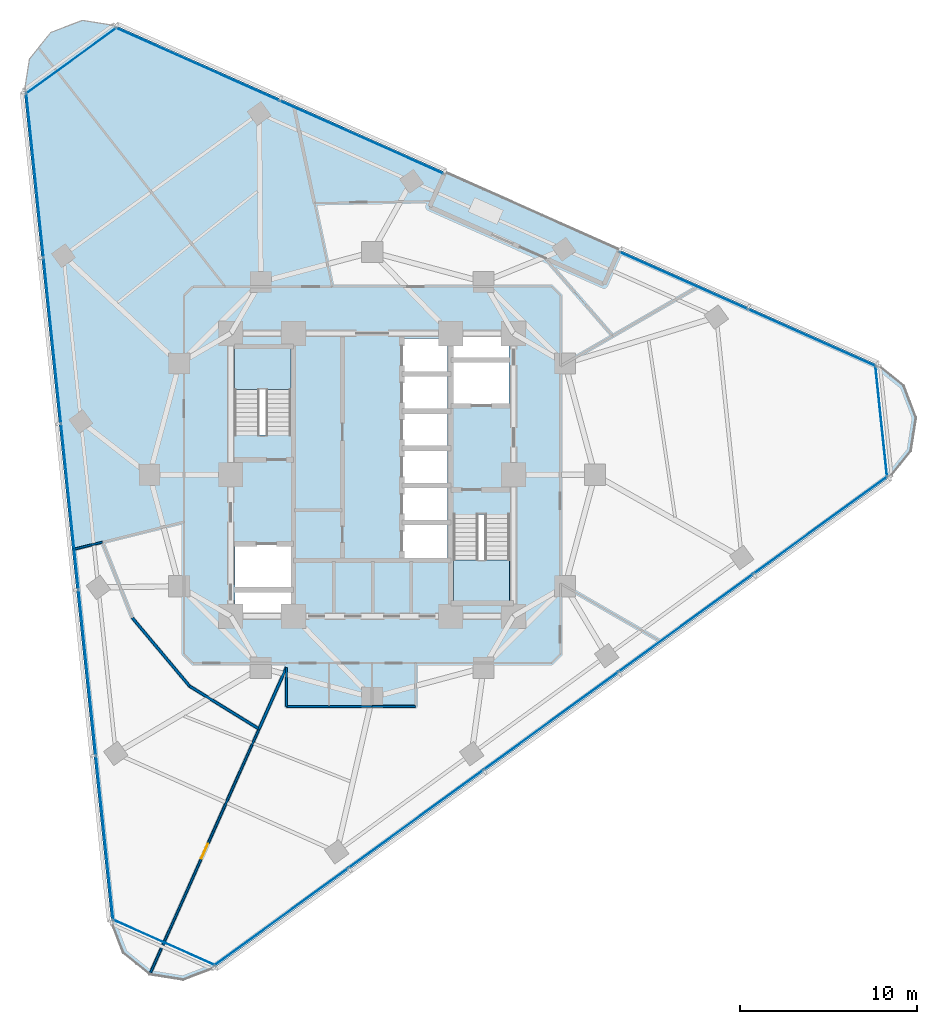
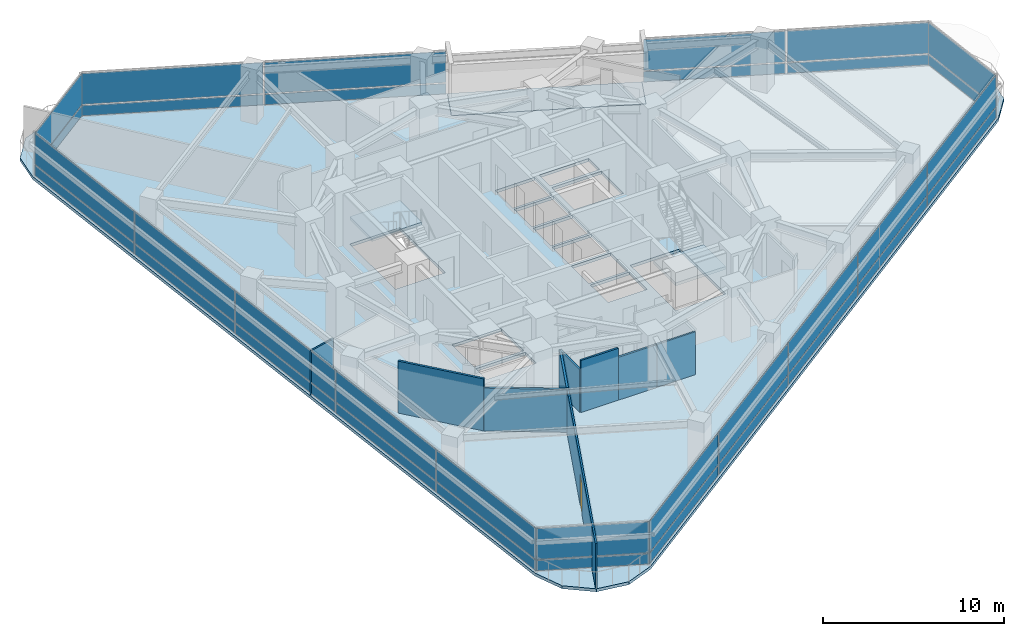
# One storey, part 7 of 14: 34 plates, 9 walls, 4 slabs, 1 door, 1 opening, 9 elements without a shape of their own.
"""IFC4 building model written with IfcOpenShell, lengths in metres."""

import ifcopenshell
import ifcopenshell.guid

model = None  # the IFC model being written
_history = None  # IfcOwnerHistory: only IFC2X3 demands one
_inside = {}  # id of a spatial element -> (the spatial element, [elements in it])
_under = {}  # id of a project, library or spatial element -> (it, [spatial elements below it])
_declared = {}  # id of a project -> (the project, [libraries it declares])
_typed = {}  # id of a type object -> (the type object, [elements of that type])
_made_of = {}  # id of a material, layer set ... -> (it, [elements and type objects made of it])


def new_model(schema):
    """Start an empty IFC model of exactly this schema.

    Asked for "IFC4X3", IfcOpenShell would pick the latest addendum, in which some entities
    have other attributes; the version numbers below select the first issue.
    IFC2X3 requires an IfcOwnerHistory on every rooted entity: one is made here for all.
    """
    global model, _history
    if schema == "IFC4X3":
        model = ifcopenshell.file(schema_version=(4, 3, 0, 0))
    else:
        model = ifcopenshell.file(schema=schema)
    _inside.clear()
    _under.clear()
    _declared.clear()
    _typed.clear()
    _made_of.clear()
    _history = None
    if model.schema == "IFC2X3":
        org = make("IfcOrganization", Name="unknown")
        user = make(
            "IfcPersonAndOrganization",
            ThePerson=make("IfcPerson", FamilyName="unknown"),
            TheOrganization=org,
        )
        app = make(
            "IfcApplication",
            ApplicationDeveloper=org,
            Version="unknown",
            ApplicationFullName="unknown",
            ApplicationIdentifier="unknown",
        )
        _history = make(
            "IfcOwnerHistory",
            OwningUser=user,
            OwningApplication=app,
            ChangeAction="ADDED",
            CreationDate=0,
        )
    return model


def make(cls, **values):
    """One entity of the class cls with the attributes given. An attribute that is None is left unset."""
    return model.create_entity(
        cls, **{name: value for name, value in values.items() if value is not None}
    )


def rooted(cls, **values):
    """An entity with a GlobalId (a new one), such as an element, a storey or a relation."""
    return make(cls, GlobalId=ifcopenshell.guid.new(), OwnerHistory=_history, **values)


def si_unit(unit_type, name, prefix=None):
    """IfcSIUnit, for example si_unit("LENGTHUNIT", "METRE", prefix="MILLI")."""
    return make("IfcSIUnit", UnitType=unit_type, Prefix=prefix, Name=name)


def assignment(units):
    """IfcUnitAssignment: the units of a project."""
    return None if units is None else make("IfcUnitAssignment", Units=units)


def point(xyz):
    """IfcCartesianPoint."""
    return None if xyz is None else make("IfcCartesianPoint", Coordinates=xyz)


def direction(xyz):
    """IfcDirection."""
    return None if xyz is None else make("IfcDirection", DirectionRatios=xyz)


def frame(location, z_axis=None, x_axis=None):
    """IfcAxis2Placement3D, a coordinate frame: its origin and axes. An axis left out is left unset."""
    return make(
        "IfcAxis2Placement3D",
        Location=point(location),
        Axis=direction(z_axis),
        RefDirection=direction(x_axis),
    )


def frame_2d(location, x_axis=None):
    """IfcAxis2Placement2D, a coordinate frame in the plane: its origin and x axis."""
    return make(
        "IfcAxis2Placement2D", Location=point(location), RefDirection=direction(x_axis)
    )


def origin():
    """The frame at (0, 0, 0) with its axes left unset."""
    return frame((0.0, 0.0, 0.0))


def origin_2d():
    """The frame at (0, 0) in the plane with its x axis left unset."""
    return frame_2d((0.0, 0.0))


def place(relative_to, where):
    """IfcLocalPlacement: puts the frame where relative to a parent placement (None: the world)."""
    return make(
        "IfcLocalPlacement", PlacementRelTo=relative_to, RelativePlacement=where
    )


def context(
    kind, dimensions, precision=None, world=None, true_north=None, identifier=None
):
    """IfcGeometricRepresentationContext, for example the 3D "Model" context."""
    return make(
        "IfcGeometricRepresentationContext",
        ContextIdentifier=identifier,
        ContextType=kind,
        CoordinateSpaceDimension=dimensions,
        Precision=precision,
        WorldCoordinateSystem=world,
        TrueNorth=true_north,
    )


def subcontext(parent, identifier, kind, view, scale=None):
    """IfcGeometricRepresentationSubContext, for example "Body" below "Model"."""
    return make(
        "IfcGeometricRepresentationSubContext",
        ContextIdentifier=identifier,
        ContextType=kind,
        ParentContext=parent,
        TargetScale=scale,
        TargetView=view,
    )


def project(units=None, contexts=None):
    """IfcProject with its units and contexts."""
    return rooted(
        "IfcProject",
        Name="project",
        RepresentationContexts=contexts,
        UnitsInContext=assignment(units),
    )


def spatial(cls, under=None, at=None, **own):
    """A site, building, storey or space (cls), placed at a placement, below another one or the project."""
    s = rooted(cls, ObjectPlacement=at, **own)
    if under is not None:
        _under.setdefault(under.id(), (under, []))[1].append(s)
    return s


def polyline(points):
    """IfcPolyline through the points."""
    return make("IfcPolyline", Points=[point(p) for p in points])


def profile(cls, at=None, kind="AREA", **sizes):
    """A parametric profile (cls). Its sizes go by their IFC names, for example OverallWidth=200.0."""
    return make(cls, ProfileType=kind, Position=at, **sizes)


def rectangle(**sizes):
    """IfcRectangleProfileDef."""
    return profile("IfcRectangleProfileDef", **sizes)


def outline(outer, holes=None, kind="AREA"):
    """IfcArbitraryClosedProfileDef: a profile drawn as a closed curve; with holes, ...WithVoids."""
    if holes is None:
        return make("IfcArbitraryClosedProfileDef", ProfileType=kind, OuterCurve=outer)
    return make(
        "IfcArbitraryProfileDefWithVoids",
        ProfileType=kind,
        OuterCurve=outer,
        InnerCurves=holes,
    )


def extrude(swept, where, along, depth):
    """IfcExtrudedAreaSolid: the profile swept, set in the frame where, extruded along a direction by depth."""
    return make(
        "IfcExtrudedAreaSolid",
        SweptArea=swept,
        Position=where,
        ExtrudedDirection=direction(along),
        Depth=depth,
    )


def shape(context_of_items, identifier, shape_type, items):
    """IfcShapeRepresentation: the items that make up one representation, for example the "Body"."""
    return make(
        "IfcShapeRepresentation",
        ContextOfItems=context_of_items,
        RepresentationIdentifier=identifier,
        RepresentationType=shape_type,
        Items=items,
    )


def material(Name=None, Category=None):
    """IfcMaterial."""
    return make("IfcMaterial", Name=Name, Category=Category)


def layer(
    of_material, thickness, ventilated=None, Name=None, Category=None, Priority=None
):
    """IfcMaterialLayer: one layer of a wall or slab, of a material (None: an air gap)."""
    return make(
        "IfcMaterialLayer",
        Material=of_material,
        LayerThickness=thickness,
        IsVentilated=ventilated,
        Name=Name,
        Category=Category,
        Priority=Priority,
    )


def layer_set(layers, Name=None):
    """IfcMaterialLayerSet."""
    return make("IfcMaterialLayerSet", MaterialLayers=layers, LayerSetName=Name)


def made_of(thing, what):
    """Note that an element or type object is made of a material, layer set ...; save() writes the relation."""
    if what is not None:
        _made_of.setdefault(what.id(), (what, []))[1].append(thing)
    return thing


def type_object(cls, material=None, **own):
    """A type object (cls), such as IfcWallType, which elements share."""
    return made_of(rooted(cls, **own), material)


def element(
    cls,
    number,
    at=None,
    inside=None,
    cuts=None,
    type_object=None,
    material=None,
    context=None,
    identifier="Body",
    shape_type=None,
    held_by="IfcProductDefinitionShape",
    body=None,
    shapes=None,
    **own,
):
    """One element of the class cls, such as IfcWall. Its Tag is "e" and its number.

    at: its placement. inside: the storey or other place that contains it. cuts: it is an
    opening in that element (IfcRelVoidsElement). A single representation is given by context,
    identifier, shape_type and body (its items); several are given by shapes. held_by: the class
    of the entity that holds the representations. save() writes the other relations.
    """
    e = rooted(cls, Tag="e%d" % number, ObjectPlacement=at, **own)
    if body is not None:
        shapes = [shape(context, identifier, shape_type, body)]
    if shapes is not None:
        e.Representation = make(held_by, Representations=shapes)
    if inside is not None:
        _inside.setdefault(inside.id(), (inside, []))[1].append(e)
    if cuts is not None:
        rooted(
            "IfcRelVoidsElement", RelatingBuildingElement=cuts, RelatedOpeningElement=e
        )
    if type_object is not None:
        _typed.setdefault(type_object.id(), (type_object, []))[1].append(e)
    return made_of(e, material)


def fill(opening, filler):
    """IfcRelFillsElement: the door or window that sits in an opening."""
    return rooted(
        "IfcRelFillsElement",
        RelatingOpeningElement=opening,
        RelatedBuildingElement=filler,
    )


def aggregate(whole, parts):
    """IfcRelAggregates: a whole, such as a stair, and the parts it consists of."""
    return rooted("IfcRelAggregates", RelatingObject=whole, RelatedObjects=parts)


def save(model, path):
    """Write the relations noted so far, then the file.

    IfcRelAggregates (storeys below a building ...), IfcRelContainedInSpatialStructure (elements
    in a storey), IfcRelDefinesByType, IfcRelAssociatesMaterial and IfcRelDeclares: one each for
    every whole, place, type object, material and project.
    """
    for whole, parts in _under.values():
        aggregate(whole, parts)
    for where, things in _inside.values():
        rooted(
            "IfcRelContainedInSpatialStructure",
            RelatedElements=things,
            RelatingStructure=where,
        )
    for kind, things in _typed.values():
        rooted("IfcRelDefinesByType", RelatedObjects=things, RelatingType=kind)
    for what, things in _made_of.values():
        rooted("IfcRelAssociatesMaterial", RelatedObjects=things, RelatingMaterial=what)
    for by, libraries in _declared.values():
        rooted("IfcRelDeclares", RelatingContext=by, RelatedDefinitions=libraries)
    model.write(path)


model = new_model("IFC4")

# Units and contexts
model_context = context("Model", 3, precision=1e-05, world=origin(), true_north=direction((0.0, 1.0)))
body_context = subcontext(model_context, "Body", "Model", "MODEL_VIEW")
ifc_project = project(units=[si_unit("LENGTHUNIT", "METRE"), si_unit("AREAUNIT", "SQUARE_METRE"), si_unit("VOLUMEUNIT", "CUBIC_METRE"), si_unit("PLANEANGLEUNIT", "RADIAN"), si_unit("MASSUNIT", "GRAM", prefix="KILO")], contexts=[model_context])

# Site, building, storey
site_placement = place(None, origin())
site = spatial("IfcSite", under=ifc_project, at=site_placement, CompositionType="ELEMENT")
building_placement = place(site_placement, origin())
building = spatial("IfcBuilding", under=site, at=building_placement, Name="Terralouvre Media Tower", CompositionType="ELEMENT")
storey_placement = place(building_placement, frame((0.0, 0.0, 176.800048828125)))
storey = spatial("IfcBuildingStorey", under=building, at=storey_placement, Name="L45", CompositionType="ELEMENT", Elevation=176.800048828125)

# Slabs
ifc_material_1 = material(Name="Concrete C40/50", Category="concrete")
ifc_layer_1 = layer(ifc_material_1, 0.199951171875, Name="Composite Tower Floor Slab S-TYP200")
ifc_layer_set_1 = layer_set([ifc_layer_1], Name="Concrete C40/50")
slab_type_1 = type_object("IfcSlabType", Name="Composite Tower Floor Slab S-TYP200", PredefinedType="FLOOR", material=ifc_layer_set_1)
slab_1_placement = place(storey_placement, frame((0.0, 0.0, -0.199951171875), z_axis=(0.0, 0.0, 1.0), x_axis=(0.809016994375, 0.587785252292, 0.0)))
element("IfcSlab", 1, at=slab_1_placement, inside=storey, type_object=slab_type_1, Name="L45 Structural Floor Slab", PredefinedType="FLOOR", context=body_context, shape_type="SweptSolid", body=[
    extrude(outline(polyline([(26.80419921875, -11.775390625), (18.80419921875, 2.0810546875), (16.9423828125, 1.005859375), (11.542236328125, 10.359130859375), (13.404296875, 11.43408203125), (3.204345703125, 29.100830078125), (1.85009765625, 30.455322265625), (0.0, 30.950927734375), (-1.85009765625, 30.455322265625), (-3.204345703125, 29.100830078125), (-26.80419921875, -11.775390625), (-27.300048828125, -13.62548828125), (-26.80419921875, -15.475341796875), (-25.449951171875, -16.829833984375), (-23.60009765625, -17.325439453125), (23.60009765625, -17.325439453125), (25.449951171875, -16.829833984375), (26.80419921875, -15.4755859375), (27.300048828125, -13.62548828125), (26.80419921875, -11.775390625)]), holes=[polyline([(-7.600830078125, -2.6357421875), (-8.30615234375, -3.6064453125), (-10.8544921875, -1.7548828125), (-10.149169921875, -0.7841796875), (-7.600830078125, -2.6357421875)]), polyline([(-7.4833984375, -2.473876953125), (-10.03173828125, -0.622314453125), (-8.591552734375, 1.359619140625), (-6.043212890625, -0.49169921875), (-7.4833984375, -2.473876953125)]), polyline([(4.366943359375, -1.2197265625), (2.344482421875, 0.24951171875), (3.48486328125, 1.819091796875), (5.50732421875, 0.349609375), (4.366943359375, -1.2197265625)]), polyline([(6.74169921875, 2.048583984375), (5.601318359375, 0.47900390625), (3.578857421875, 1.948486328125), (4.71923828125, 3.51806640625), (6.74169921875, 2.048583984375)]), polyline([(-2.40185546875, 4.52001953125), (-4.974609375, 6.38916015625), (-2.02685546875, 10.446533203125), (0.5458984375, 8.577392578125), (-2.40185546875, 4.52001953125)]), polyline([(6.835693359375, 2.177978515625), (4.813232421875, 3.6474609375), (5.953369140625, 5.217041015625), (7.97607421875, 3.74755859375), (6.835693359375, 2.177978515625)]), polyline([(-0.5458984375, -8.577392578125), (2.40185546875, -4.52001953125), (4.974609375, -6.38916015625), (2.02685546875, -10.446533203125), (-0.5458984375, -8.577392578125)]), polyline([(0.6640625, -6.316650390625), (-1.358642578125, -4.84716796875), (-0.21826171875, -3.277587890625), (1.80419921875, -4.7470703125), (0.6640625, -6.316650390625)]), polyline([(1.8984375, -4.61767578125), (-0.124267578125, -3.148193359375), (1.01611328125, -1.578857421875), (3.03857421875, -3.04833984375), (1.8984375, -4.61767578125)]), polyline([(4.27294921875, -1.349365234375), (3.132568359375, -2.918701171875), (1.110107421875, -1.44921875), (2.25048828125, 0.1201171875), (4.27294921875, -1.349365234375)]), polyline([(8.591552734375, -1.359619140625), (6.043212890625, 0.49169921875), (7.4833984375, 2.473876953125), (10.03173828125, 0.622314453125), (8.591552734375, -1.359619140625)]), polyline([(10.149169921875, 0.7841796875), (7.600830078125, 2.6357421875), (8.30615234375, 3.6064453125), (10.8544921875, 1.7548828125), (10.149169921875, 0.7841796875)])]), origin(), (0.0, 0.0, 1.0), 0.199951171875),
])
ifc_material_2 = material(Name="Concrete C45/55", Category="concrete")
ifc_layer_2 = layer(ifc_material_2, 0.2099609375, Name="Planted Sky-Garden External Deck S-TER210")
ifc_layer_set_2 = layer_set([ifc_layer_2], Name="Concrete C45/55")
slab_type_2 = type_object("IfcSlabType", Name="Planted Sky-Garden External Deck S-TER210", PredefinedType="FLOOR", material=ifc_layer_set_2)
slab_2_placement = place(storey_placement, frame((0.0, 0.0, -0.2099609375), z_axis=(0.0, 0.0, 1.0), x_axis=(0.809016994375, 0.587785252292, 0.0)))
element("IfcSlab", 2, at=slab_2_placement, inside=storey, type_object=slab_type_2, Name="L45 Helical Planted Sky-Garden Deck 09", PredefinedType="FLOOR", context=body_context, shape_type="SweptSolid", body=[
    extrude(outline(polyline([(18.80419921875, 2.0810546875), (13.404296875, 11.43408203125), (11.542236328125, 10.359130859375), (16.9423828125, 1.005859375), (18.80419921875, 2.0810546875)])), origin(), (0.0, 0.0, 1.0), 0.2099609375),
])

# Stair, slab
ifc_material_3 = material(Name="Concrete C45/55", Category="concrete")
stair_type_1 = type_object("IfcStairType", Name="Dogleg Stair Assembly ST-01", PredefinedType="HALF_TURN_STAIR", material=ifc_material_3)
stair_1_placement = place(storey_placement, origin())
stair_1 = element("IfcStair", 3, at=stair_1_placement, inside=storey, type_object=stair_type_1, Name="L45 Core Pressurised Exit Stair ST-01", PredefinedType="HALF_TURN_STAIR")
ifc_material_4 = material(Name="Concrete C45/55", Category="concrete")
ifc_layer_3 = layer(ifc_material_4, 0.199951171875, Name="Reinforced Concrete Stair Half-Landing SL-LD1")
ifc_layer_set_3 = layer_set([ifc_layer_3], Name="Concrete C45/55")
slab_type_3 = type_object("IfcSlabType", Name="Reinforced Concrete Stair Half-Landing SL-LD1", PredefinedType="LANDING", material=ifc_layer_set_3)
slab_3_placement = place(storey_placement, frame((0.0, 0.0, 1.64990234375)))
slab_3 = element("IfcSlab", 4, at=slab_3_placement, type_object=slab_type_3, Name="ST-01 landing 1", PredefinedType="LANDING", context=body_context, shape_type="SweptSolid", body=[
    extrude(outline(polyline([(-4.60009765625, 4.820068359375), (-4.60009765625, 7.260009765625), (-7.780029296875, 7.260009765625), (-7.780029296875, 4.820068359375), (-4.60009765625, 4.820068359375)])), origin(), (0.0, 0.0, 1.0), 0.199951171875),
])
aggregate(stair_1, [slab_3])

ifc_material_5 = material(Name="Concrete C45/55", Category="concrete")
stair_type_2 = type_object("IfcStairType", Name="Dogleg Stair Assembly ST-02", PredefinedType="HALF_TURN_STAIR", material=ifc_material_5)
stair_2_placement = place(storey_placement, origin())
stair_2 = element("IfcStair", 5, at=stair_2_placement, inside=storey, type_object=stair_type_2, Name="L45 Core Pressurised Exit Stair ST-02", PredefinedType="HALF_TURN_STAIR")
slab_4_placement = place(storey_placement, frame((0.0, 0.0, 1.64990234375)))
slab_4 = element("IfcSlab", 6, at=slab_4_placement, type_object=slab_type_3, Name="ST-02 landing 1", PredefinedType="LANDING", context=body_context, shape_type="SweptSolid", body=[
    extrude(outline(polyline([(4.60009765625, -4.820068359375), (4.60009765625, -7.260009765625), (7.780029296875, -7.260009765625), (7.780029296875, -4.820068359375), (4.60009765625, -4.820068359375)])), origin(), (0.0, 0.0, 1.0), 0.199951171875),
])
aggregate(stair_2, [slab_4])

# Curtain wall, plates
ifc_material_6 = material(Name="Low-iron laminated double glazing with solar-control coating", Category="glass")
ifc_layer_4 = layer(ifc_material_6, 0.1650390625, Name="Rounded Wind-Corner Curved Glazing CW-04")
ifc_layer_set_4 = layer_set([ifc_layer_4], Name="Low-iron laminated double glazing with solar-control coating")
curtain_wall_type_1 = type_object("IfcCurtainWallType", Name="Rounded Wind-Corner Curved Glazing CW-04", PredefinedType="NOTDEFINED", material=ifc_layer_set_4)
curtain_wall_1_placement = place(storey_placement, origin())
curtain_wall_1 = element("IfcCurtainWall", 7, at=curtain_wall_1_placement, inside=storey, type_object=curtain_wall_type_1, Name="L45 Rounded Wind-Corner Curtain Wall C0", PredefinedType="NOTDEFINED")
ifc_material_7 = material(Name="Low-iron laminated double glazing with solar-control coating", Category="glass")
ifc_layer_5 = layer(ifc_material_7, 0.0400390625, Name="Rounded Corner Laminated Vision Panel CWP-03")
ifc_layer_set_5 = layer_set([ifc_layer_5], Name="Low-iron laminated double glazing with solar-control coating")
plate_type_1 = type_object("IfcPlateType", Name="Rounded Corner Laminated Vision Panel CWP-03", PredefinedType="CURTAIN_PANEL", material=ifc_layer_set_5)
plate_1_placement = place(storey_placement, frame((-11.779541015625, -26.45703125, 0.074951171875), z_axis=(0.0, 0.0, 1.0), x_axis=(0.913545408199, -0.406736754128, 0.0)))
plate_1 = element("IfcPlate", 8, at=plate_1_placement, type_object=plate_type_1, Name="CW-04 panel 1.1", PredefinedType="CURTAIN_PANEL", context=body_context, shape_type="SweptSolid", body=[
    extrude(rectangle(XDim=6.258544921875, YDim=0.035888671875, at=origin_2d()), origin(), (0.0, 0.0, 1.0), 0.6875),
])
plate_2_placement = place(storey_placement, frame((-11.779541015625, -26.45703125, 0.83740234375), z_axis=(0.0, 0.0, 1.0), x_axis=(0.913545408199, -0.406736754128, 0.0)))
plate_2 = element("IfcPlate", 9, at=plate_2_placement, type_object=plate_type_1, Name="CW-04 panel 1.2", PredefinedType="CURTAIN_PANEL", context=body_context, shape_type="SweptSolid", body=[
    extrude(rectangle(XDim=6.258544921875, YDim=0.035888671875, at=origin_2d()), origin(), (0.0, 0.0, 1.0), 2.08740234375),
])
aggregate(curtain_wall_1, [plate_1, plate_2])

curtain_wall_2_placement = place(storey_placement, origin())
curtain_wall_2 = element("IfcCurtainWall", 10, at=curtain_wall_2_placement, inside=storey, type_object=curtain_wall_type_1, Name="L45 Rounded Wind-Corner Curtain Wall C1", PredefinedType="NOTDEFINED")
plate_3_placement = place(storey_placement, frame((28.80224609375, 3.02734375, 0.074951171875), z_axis=(0.0, 0.0, 1.0), x_axis=(-0.10452850319, 0.994521891172, 0.0)))
plate_3 = element("IfcPlate", 11, at=plate_3_placement, type_object=plate_type_1, Name="CW-04 panel 1.1", PredefinedType="CURTAIN_PANEL", context=body_context, shape_type="SweptSolid", body=[
    extrude(rectangle(XDim=6.258544921875, YDim=0.035888671875, at=origin_2d()), origin(), (0.0, 0.0, 1.0), 0.6875),
])
plate_4_placement = place(storey_placement, frame((28.80224609375, 3.02734375, 0.83740234375), z_axis=(0.0, 0.0, 1.0), x_axis=(-0.10452850319, 0.994521891172, 0.0)))
plate_4 = element("IfcPlate", 12, at=plate_4_placement, type_object=plate_type_1, Name="CW-04 panel 1.2", PredefinedType="CURTAIN_PANEL", context=body_context, shape_type="SweptSolid", body=[
    extrude(rectangle(XDim=6.258544921875, YDim=0.035888671875, at=origin_2d()), origin(), (0.0, 0.0, 1.0), 2.08740234375),
])
aggregate(curtain_wall_2, [plate_3, plate_4])

curtain_wall_3_placement = place(storey_placement, origin())
curtain_wall_3 = element("IfcCurtainWall", 13, at=curtain_wall_3_placement, inside=storey, type_object=curtain_wall_type_1, Name="L45 Rounded Wind-Corner Curtain Wall C2", PredefinedType="NOTDEFINED")
plate_5_placement = place(storey_placement, frame((-17.022705078125, 23.429931640625, 0.074951171875), z_axis=(0.0, 0.0, 1.0), x_axis=(-0.809017438344, -0.587784641221, 0.0)))
plate_5 = element("IfcPlate", 14, at=plate_5_placement, type_object=plate_type_1, Name="CW-04 panel 1.1", PredefinedType="CURTAIN_PANEL", context=body_context, shape_type="SweptSolid", body=[
    extrude(rectangle(XDim=6.258544921875, YDim=0.035888671875, at=origin_2d()), origin(), (0.0, 0.0, 1.0), 0.6875),
])
plate_6_placement = place(storey_placement, frame((-17.022705078125, 23.429931640625, 0.83740234375), z_axis=(0.0, 0.0, 1.0), x_axis=(-0.809017438344, -0.587784641221, 0.0)))
plate_6 = element("IfcPlate", 15, at=plate_6_placement, type_object=plate_type_1, Name="CW-04 panel 1.2", PredefinedType="CURTAIN_PANEL", context=body_context, shape_type="SweptSolid", body=[
    extrude(rectangle(XDim=6.258544921875, YDim=0.035888671875, at=origin_2d()), origin(), (0.0, 0.0, 1.0), 2.08740234375),
])
aggregate(curtain_wall_3, [plate_5, plate_6])

ifc_material_8 = material(Name="Low-iron laminated double glazing with solar-control coating", Category="glass")
ifc_layer_6 = layer(ifc_material_8, 0.1650390625, Name="Production Studio Tower Curtain Wall CW-03")
ifc_layer_set_6 = layer_set([ifc_layer_6], Name="Low-iron laminated double glazing with solar-control coating")
curtain_wall_type_2 = type_object("IfcCurtainWallType", Name="Production Studio Tower Curtain Wall CW-03", PredefinedType="NOTDEFINED", material=ifc_layer_set_6)
curtain_wall_4_placement = place(storey_placement, origin())
curtain_wall_4 = element("IfcCurtainWall", 16, at=curtain_wall_4_placement, inside=storey, type_object=curtain_wall_type_2, Name="L45 Facade Curtain Wall F0", PredefinedType="NOTDEFINED")
ifc_material_9 = material(Name="Low-iron laminated double glazing with solar-control coating", Category="glass")
ifc_layer_7 = layer(ifc_material_9, 0.035888671875, Name="Vision Double-Glazed Unit CWP-01")
ifc_layer_set_7 = layer_set([ifc_layer_7], Name="Low-iron laminated double glazing with solar-control coating")
plate_type_2 = type_object("IfcPlateType", Name="Vision Double-Glazed Unit CWP-01", PredefinedType="CURTAIN_PANEL", material=ifc_layer_set_7)
plate_7_placement = place(storey_placement, frame((-5.14599609375, -25.005859375, 0.074951171875), z_axis=(0.0, 0.0, 1.0), x_axis=(0.809016917383, 0.587785358263, 0.0)))
plate_7 = element("IfcPlate", 17, at=plate_7_placement, type_object=plate_type_2, Name="CW-03 panel 1.1", PredefinedType="CURTAIN_PANEL", context=body_context, shape_type="SweptSolid", body=[
    extrude(rectangle(XDim=9.327392578125, YDim=0.035888671875, at=origin_2d()), origin(), (0.0, 0.0, 1.0), 0.6875),
])
plate_8_placement = place(storey_placement, frame((-5.14599609375, -25.005859375, 0.83740234375), z_axis=(0.0, 0.0, 1.0), x_axis=(0.809016917383, 0.587785358263, 0.0)))
plate_8 = element("IfcPlate", 18, at=plate_8_placement, type_object=plate_type_2, Name="CW-03 panel 1.2", PredefinedType="CURTAIN_PANEL", context=body_context, shape_type="SweptSolid", body=[
    extrude(rectangle(XDim=9.327392578125, YDim=0.035888671875, at=origin_2d()), origin(), (0.0, 0.0, 1.0), 2.08740234375),
])
plate_9_placement = place(storey_placement, frame((2.47607421875, -19.46826171875, 0.074951171875), z_axis=(0.0, 0.0, 1.0), x_axis=(0.809016917383, 0.587785358263, 0.0)))
plate_9 = element("IfcPlate", 19, at=plate_9_placement, type_object=plate_type_2, Name="CW-03 panel 2.1", PredefinedType="CURTAIN_PANEL", context=body_context, shape_type="SweptSolid", body=[
    extrude(rectangle(XDim=9.364990234375, YDim=0.035888671875, at=origin_2d()), origin(), (0.0, 0.0, 1.0), 0.6875),
])
plate_10_placement = place(storey_placement, frame((2.47607421875, -19.46826171875, 0.83740234375), z_axis=(0.0, 0.0, 1.0), x_axis=(0.809016917383, 0.587785358263, 0.0)))
plate_10 = element("IfcPlate", 20, at=plate_10_placement, type_object=plate_type_2, Name="CW-03 panel 2.2", PredefinedType="CURTAIN_PANEL", context=body_context, shape_type="SweptSolid", body=[
    extrude(rectangle(XDim=9.364990234375, YDim=0.035888671875, at=origin_2d()), origin(), (0.0, 0.0, 1.0), 2.08740234375),
])
plate_11_placement = place(storey_placement, frame((10.113037109375, -13.91943359375, 0.074951171875), z_axis=(0.0, 0.0, 1.0), x_axis=(0.809016917383, 0.587785358263, 0.0)))
plate_11 = element("IfcPlate", 21, at=plate_11_placement, type_object=plate_type_2, Name="CW-03 panel 3.1", PredefinedType="CURTAIN_PANEL", context=body_context, shape_type="SweptSolid", body=[
    extrude(rectangle(XDim=9.364990234375, YDim=0.035888671875, at=origin_2d()), origin(), (0.0, 0.0, 1.0), 0.6875),
])
plate_12_placement = place(storey_placement, frame((10.113037109375, -13.91943359375, 0.83740234375), z_axis=(0.0, 0.0, 1.0), x_axis=(0.809016917383, 0.587785358263, 0.0)))
plate_12 = element("IfcPlate", 22, at=plate_12_placement, type_object=plate_type_2, Name="CW-03 panel 3.2", PredefinedType="CURTAIN_PANEL", context=body_context, shape_type="SweptSolid", body=[
    extrude(rectangle(XDim=9.364990234375, YDim=0.035888671875, at=origin_2d()), origin(), (0.0, 0.0, 1.0), 2.08740234375),
])
plate_13_placement = place(storey_placement, frame((17.750244140625, -8.370849609375, 0.074951171875), z_axis=(0.0, 0.0, 1.0), x_axis=(0.809016917383, 0.587785358263, 0.0)))
plate_13 = element("IfcPlate", 23, at=plate_13_placement, type_object=plate_type_2, Name="CW-03 panel 4.1", PredefinedType="CURTAIN_PANEL", context=body_context, shape_type="SweptSolid", body=[
    extrude(rectangle(XDim=9.364990234375, YDim=0.035888671875, at=origin_2d()), origin(), (0.0, 0.0, 1.0), 0.6875),
])
plate_14_placement = place(storey_placement, frame((17.750244140625, -8.370849609375, 0.83740234375), z_axis=(0.0, 0.0, 1.0), x_axis=(0.809016917383, 0.587785358263, 0.0)))
plate_14 = element("IfcPlate", 24, at=plate_14_placement, type_object=plate_type_2, Name="CW-03 panel 4.2", PredefinedType="CURTAIN_PANEL", context=body_context, shape_type="SweptSolid", body=[
    extrude(rectangle(XDim=9.364990234375, YDim=0.035888671875, at=origin_2d()), origin(), (0.0, 0.0, 1.0), 2.08740234375),
])
plate_15_placement = place(storey_placement, frame((25.3720703125, -2.833251953125, 0.074951171875), z_axis=(0.0, 0.0, 1.0), x_axis=(0.809016917383, 0.587785358263, 0.0)))
plate_15 = element("IfcPlate", 25, at=plate_15_placement, type_object=plate_type_2, Name="CW-03 panel 5.1", PredefinedType="CURTAIN_PANEL", context=body_context, shape_type="SweptSolid", body=[
    extrude(rectangle(XDim=9.327392578125, YDim=0.035888671875, at=origin_2d()), origin(), (0.0, 0.0, 1.0), 0.6875),
])
plate_16_placement = place(storey_placement, frame((25.3720703125, -2.833251953125, 0.83740234375), z_axis=(0.0, 0.0, 1.0), x_axis=(0.809016917383, 0.587785358263, 0.0)))
plate_16 = element("IfcPlate", 26, at=plate_16_placement, type_object=plate_type_2, Name="CW-03 panel 5.2", PredefinedType="CURTAIN_PANEL", context=body_context, shape_type="SweptSolid", body=[
    extrude(rectangle(XDim=9.327392578125, YDim=0.035888671875, at=origin_2d()), origin(), (0.0, 0.0, 1.0), 2.08740234375),
])
aggregate(curtain_wall_4, [plate_7, plate_8, plate_9, plate_10, plate_11, plate_12, plate_13, plate_14, plate_15, plate_16])

curtain_wall_5_placement = place(storey_placement, origin())
curtain_wall_5 = element("IfcCurtainWall", 27, at=curtain_wall_5_placement, inside=storey, type_object=curtain_wall_type_2, Name="L45 Left Flank Curtain Wall F1", PredefinedType="NOTDEFINED")
plate_17_placement = place(storey_placement, frame((24.886474609375, 7.753662109375, 0.074951171875), z_axis=(0.0, 0.0, 1.0), x_axis=(-0.913545295759, 0.406737006671, 0.0)))
plate_17 = element("IfcPlate", 28, at=plate_17_placement, type_object=plate_type_2, Name="CW-03 panel 1.1", PredefinedType="CURTAIN_PANEL", context=body_context, shape_type="SweptSolid", body=[
    extrude(rectangle(XDim=7.887451171875, YDim=0.035888671875, at=origin_2d()), origin(), (0.0, 0.0, 1.0), 0.6875),
])
plate_18_placement = place(storey_placement, frame((24.886474609375, 7.753662109375, 0.83740234375), z_axis=(0.0, 0.0, 1.0), x_axis=(-0.913545295759, 0.406737006671, 0.0)))
plate_18 = element("IfcPlate", 29, at=plate_18_placement, type_object=plate_type_2, Name="CW-03 panel 1.2", PredefinedType="CURTAIN_PANEL", context=body_context, shape_type="SweptSolid", body=[
    extrude(rectangle(XDim=7.887451171875, YDim=0.035888671875, at=origin_2d()), origin(), (0.0, 0.0, 1.0), 2.08740234375),
])
plate_19_placement = place(storey_placement, frame((17.6123046875, 10.9921875, 0.074951171875), z_axis=(0.0, 0.0, 1.0), x_axis=(-0.913545295759, 0.406737006671, 0.0)))
plate_19 = element("IfcPlate", 30, at=plate_19_placement, type_object=plate_type_2, Name="CW-03 panel 2.1", PredefinedType="CURTAIN_PANEL", context=body_context, shape_type="SweptSolid", body=[
    extrude(rectangle(XDim=7.887451171875, YDim=0.035888671875, at=origin_2d()), origin(), (0.0, 0.0, 1.0), 0.6875),
])
plate_20_placement = place(storey_placement, frame((17.6123046875, 10.9921875, 0.83740234375), z_axis=(0.0, 0.0, 1.0), x_axis=(-0.913545295759, 0.406737006671, 0.0)))
plate_20 = element("IfcPlate", 31, at=plate_20_placement, type_object=plate_type_2, Name="CW-03 panel 2.2", PredefinedType="CURTAIN_PANEL", context=body_context, shape_type="SweptSolid", body=[
    extrude(rectangle(XDim=7.887451171875, YDim=0.035888671875, at=origin_2d()), origin(), (0.0, 0.0, 1.0), 2.08740234375),
])
aggregate(curtain_wall_5, [plate_17, plate_18, plate_19, plate_20])

curtain_wall_6_placement = place(storey_placement, origin())
curtain_wall_6 = element("IfcCurtainWall", 32, at=curtain_wall_6_placement, inside=storey, type_object=curtain_wall_type_2, Name="L45 Right Flank Curtain Wall F1", PredefinedType="NOTDEFINED")
plate_21_placement = place(storey_placement, frame((-0.6015625, 19.1015625, 0.074951171875), z_axis=(0.0, 0.0, 1.0), x_axis=(-0.913545697294, 0.40673610481, 0.0)))
plate_21 = element("IfcPlate", 33, at=plate_21_placement, type_object=plate_type_2, Name="CW-03 panel 1.1", PredefinedType="CURTAIN_PANEL", context=body_context, shape_type="SweptSolid", body=[
    extrude(rectangle(XDim=10.08740234375, YDim=0.035888671875, at=origin_2d()), origin(), (0.0, 0.0, 1.0), 0.6875),
])
plate_22_placement = place(storey_placement, frame((-0.6015625, 19.1015625, 0.83740234375), z_axis=(0.0, 0.0, 1.0), x_axis=(-0.913545697294, 0.40673610481, 0.0)))
plate_22 = element("IfcPlate", 34, at=plate_22_placement, type_object=plate_type_2, Name="CW-03 panel 1.2", PredefinedType="CURTAIN_PANEL", context=body_context, shape_type="SweptSolid", body=[
    extrude(rectangle(XDim=10.08740234375, YDim=0.035888671875, at=origin_2d()), origin(), (0.0, 0.0, 1.0), 2.08740234375),
])
plate_23_placement = place(storey_placement, frame((-9.88525390625, 23.23486328125, 0.074951171875), z_axis=(0.0, 0.0, 1.0), x_axis=(-0.913545697294, 0.40673610481, 0.0)))
plate_23 = element("IfcPlate", 35, at=plate_23_placement, type_object=plate_type_2, Name="CW-03 panel 2.1", PredefinedType="CURTAIN_PANEL", context=body_context, shape_type="SweptSolid", body=[
    extrude(rectangle(XDim=10.08740234375, YDim=0.035888671875, at=origin_2d()), origin(), (0.0, 0.0, 1.0), 0.6875),
])
plate_24_placement = place(storey_placement, frame((-9.88525390625, 23.23486328125, 0.83740234375), z_axis=(0.0, 0.0, 1.0), x_axis=(-0.913545697294, 0.40673610481, 0.0)))
plate_24 = element("IfcPlate", 36, at=plate_24_placement, type_object=plate_type_2, Name="CW-03 panel 2.2", PredefinedType="CURTAIN_PANEL", context=body_context, shape_type="SweptSolid", body=[
    extrude(rectangle(XDim=10.08740234375, YDim=0.035888671875, at=origin_2d()), origin(), (0.0, 0.0, 1.0), 2.08740234375),
])
aggregate(curtain_wall_6, [plate_21, plate_22, plate_23, plate_24])

curtain_wall_7_placement = place(storey_placement, origin())
curtain_wall_7 = element("IfcCurtainWall", 37, at=curtain_wall_7_placement, inside=storey, type_object=curtain_wall_type_2, Name="L45 Facade Curtain Wall F2", PredefinedType="NOTDEFINED")
plate_25_placement = place(storey_placement, frame((-19.082763671875, 16.95947265625, 0.074951171875), z_axis=(0.0, 0.0, 1.0), x_axis=(0.104528376236, -0.994521904516, 0.0)))
plate_25 = element("IfcPlate", 38, at=plate_25_placement, type_object=plate_type_2, Name="CW-03 panel 1.1", PredefinedType="CURTAIN_PANEL", context=body_context, shape_type="SweptSolid", body=[
    extrude(rectangle(XDim=9.327392578125, YDim=0.035888671875, at=origin_2d()), origin(), (0.0, 0.0, 1.0), 0.6875),
])
plate_26_placement = place(storey_placement, frame((-19.082763671875, 16.95947265625, 0.83740234375), z_axis=(0.0, 0.0, 1.0), x_axis=(0.104528376236, -0.994521904516, 0.0)))
plate_26 = element("IfcPlate", 39, at=plate_26_placement, type_object=plate_type_2, Name="CW-03 panel 1.2", PredefinedType="CURTAIN_PANEL", context=body_context, shape_type="SweptSolid", body=[
    extrude(rectangle(XDim=9.327392578125, YDim=0.035888671875, at=origin_2d()), origin(), (0.0, 0.0, 1.0), 2.08740234375),
])
plate_27_placement = place(storey_placement, frame((-18.097900390625, 7.58984375, 0.074951171875), z_axis=(0.0, 0.0, 1.0), x_axis=(0.104528376236, -0.994521904516, 0.0)))
plate_27 = element("IfcPlate", 40, at=plate_27_placement, type_object=plate_type_2, Name="CW-03 panel 2.1", PredefinedType="CURTAIN_PANEL", context=body_context, shape_type="SweptSolid", body=[
    extrude(rectangle(XDim=9.364990234375, YDim=0.035888671875, at=origin_2d()), origin(), (0.0, 0.0, 1.0), 0.6875),
])
plate_28_placement = place(storey_placement, frame((-18.097900390625, 7.58984375, 0.83740234375), z_axis=(0.0, 0.0, 1.0), x_axis=(0.104528376236, -0.994521904516, 0.0)))
plate_28 = element("IfcPlate", 41, at=plate_28_placement, type_object=plate_type_2, Name="CW-03 panel 2.2", PredefinedType="CURTAIN_PANEL", context=body_context, shape_type="SweptSolid", body=[
    extrude(rectangle(XDim=9.364990234375, YDim=0.035888671875, at=origin_2d()), origin(), (0.0, 0.0, 1.0), 2.08740234375),
])
plate_29_placement = place(storey_placement, frame((-17.111328125, -1.79833984375, 0.074951171875), z_axis=(0.0, 0.0, 1.0), x_axis=(0.104528376236, -0.994521904516, 0.0)))
plate_29 = element("IfcPlate", 42, at=plate_29_placement, type_object=plate_type_2, Name="CW-03 panel 3.1", PredefinedType="CURTAIN_PANEL", context=body_context, shape_type="SweptSolid", body=[
    extrude(rectangle(XDim=9.364990234375, YDim=0.035888671875, at=origin_2d()), origin(), (0.0, 0.0, 1.0), 0.6875),
])
plate_30_placement = place(storey_placement, frame((-17.111328125, -1.79833984375, 0.83740234375), z_axis=(0.0, 0.0, 1.0), x_axis=(0.104528376236, -0.994521904516, 0.0)))
plate_30 = element("IfcPlate", 43, at=plate_30_placement, type_object=plate_type_2, Name="CW-03 panel 3.2", PredefinedType="CURTAIN_PANEL", context=body_context, shape_type="SweptSolid", body=[
    extrude(rectangle(XDim=9.364990234375, YDim=0.035888671875, at=origin_2d()), origin(), (0.0, 0.0, 1.0), 2.08740234375),
])
plate_31_placement = place(storey_placement, frame((-16.12451171875, -11.186767578125, 0.074951171875), z_axis=(0.0, 0.0, 1.0), x_axis=(0.104528376236, -0.994521904516, 0.0)))
plate_31 = element("IfcPlate", 44, at=plate_31_placement, type_object=plate_type_2, Name="CW-03 panel 4.1", PredefinedType="CURTAIN_PANEL", context=body_context, shape_type="SweptSolid", body=[
    extrude(rectangle(XDim=9.364990234375, YDim=0.035888671875, at=origin_2d()), origin(), (0.0, 0.0, 1.0), 0.6875),
])
plate_32_placement = place(storey_placement, frame((-16.12451171875, -11.186767578125, 0.83740234375), z_axis=(0.0, 0.0, 1.0), x_axis=(0.104528376236, -0.994521904516, 0.0)))
plate_32 = element("IfcPlate", 45, at=plate_32_placement, type_object=plate_type_2, Name="CW-03 panel 4.2", PredefinedType="CURTAIN_PANEL", context=body_context, shape_type="SweptSolid", body=[
    extrude(rectangle(XDim=9.364990234375, YDim=0.035888671875, at=origin_2d()), origin(), (0.0, 0.0, 1.0), 2.08740234375),
])
plate_33_placement = place(storey_placement, frame((-15.1396484375, -20.556396484375, 0.074951171875), z_axis=(0.0, 0.0, 1.0), x_axis=(0.104528376236, -0.994521904516, 0.0)))
plate_33 = element("IfcPlate", 46, at=plate_33_placement, type_object=plate_type_2, Name="CW-03 panel 5.1", PredefinedType="CURTAIN_PANEL", context=body_context, shape_type="SweptSolid", body=[
    extrude(rectangle(XDim=9.327392578125, YDim=0.035888671875, at=origin_2d()), origin(), (0.0, 0.0, 1.0), 0.6875),
])
plate_34_placement = place(storey_placement, frame((-15.1396484375, -20.556396484375, 0.83740234375), z_axis=(0.0, 0.0, 1.0), x_axis=(0.104528376236, -0.994521904516, 0.0)))
plate_34 = element("IfcPlate", 47, at=plate_34_placement, type_object=plate_type_2, Name="CW-03 panel 5.2", PredefinedType="CURTAIN_PANEL", context=body_context, shape_type="SweptSolid", body=[
    extrude(rectangle(XDim=9.327392578125, YDim=0.035888671875, at=origin_2d()), origin(), (0.0, 0.0, 1.0), 2.08740234375),
])
aggregate(curtain_wall_7, [plate_25, plate_26, plate_27, plate_28, plate_29, plate_30, plate_31, plate_32, plate_33, plate_34])

# Wall, opening, door
ifc_material_10 = material(Name="Low-iron laminated double glazing with solar-control coating", Category="glass")
ifc_layer_8 = layer(ifc_material_10, 0.10009765625, Name="Demountable Glazed Office Partition PT-GL100")
ifc_layer_set_8 = layer_set([ifc_layer_8], Name="Low-iron laminated double glazing with solar-control coating")
wall_type_1 = type_object("IfcWallType", Name="Demountable Glazed Office Partition PT-GL100", PredefinedType="MOVABLE", material=ifc_layer_set_8)
wall_1_placement = place(storey_placement, frame((-12.5546875, -28.199462890625, 0.0), z_axis=(0.0, 0.0, 1.0), x_axis=(0.406672919663, 0.913573826471, 0.0)))
wall_1 = element("IfcWall", 48, at=wall_1_placement, inside=storey, type_object=wall_type_1, Name="L45 Interior Partition 023", PredefinedType="MOVABLE", context=body_context, shape_type="SweptSolid", body=[
    extrude(rectangle(XDim=15.129150390625, YDim=0.10009765625, at=frame_2d((7.564453125, 0.0))), origin(), (0.0, 0.0, 1.0), 2.98486328125),
])
opening_placement = place(wall_1_placement, frame((7.1044921875, 0.0, 0.0)))
opening = element("IfcOpeningElement", 49, at=opening_placement, cuts=wall_1, Name="Opening ID-03-92X210", PredefinedType="OPENING", context=body_context, shape_type="SweptSolid", body=[
    extrude(rectangle(XDim=0.919921875, YDim=2.10009765625, at=frame_2d((0.4599609375, 1.050048828125))), frame((0.0, 0.06005859375, 0.0), z_axis=(0.0, -1.0, 0.0), x_axis=(1.0, 0.0, 0.0)), (0.0, 0.0, 1.0), 0.1201171875),
])
ifc_material_11 = material(Name="Engineered hardwood acoustic timber leaf", Category="wood")
door_type = type_object("IfcDoorType", Name="Accessible Restroom and Suite Door ID-03 (920x2100)", OperationType="NOTDEFINED", PredefinedType="DOOR", material=ifc_material_11)
door_placement = place(opening_placement, origin())
door = element("IfcDoor", 50, at=door_placement, inside=storey, type_object=door_type, Name="L45 UX Sprint Project Conference Room 2 Door", OperationType="SINGLE_SWING_LEFT", OverallHeight=2.10009765625, OverallWidth=0.919921875, PredefinedType="DOOR", context=body_context, shape_type="SweptSolid", body=[
    extrude(rectangle(XDim=0.919921875, YDim=2.10009765625, at=frame_2d((0.4599609375, 1.050048828125))), frame((0.0, 0.02490234375, 0.0), z_axis=(0.0, -1.0, 0.0), x_axis=(1.0, 0.0, 0.0)), (0.0, 0.0, 1.0), 0.050048828125),
])
fill(opening, door)

# Walls
wall_2_placement = place(storey_placement, frame((-15.27099609375, -3.80810546875, 0.0), z_axis=(0.0, 0.0, 1.0), x_axis=(-0.970407499575, -0.24147315538, 0.0)))
element("IfcWall", 51, at=wall_2_placement, inside=storey, type_object=wall_type_1, Name="L45 Interior Partition 024", PredefinedType="MOVABLE", context=body_context, shape_type="SweptSolid", body=[
    extrude(rectangle(XDim=1.67626953125, YDim=0.10009765625, at=frame_2d((0.838134765625, 0.0))), origin(), (0.0, 0.0, 1.0), 2.98486328125),
])
wall_3_placement = place(storey_placement, frame((2.449951171875, -13.10009765625, 0.0), z_axis=(0.0, 0.0, 1.0), x_axis=(-1.0, 0.0, 0.0)))
element("IfcWall", 52, at=wall_3_placement, inside=storey, type_object=wall_type_1, Name="L45 Interior Partition 031", PredefinedType="MOVABLE", context=body_context, shape_type="SweptSolid", body=[
    extrude(rectangle(XDim=2.449951171875, YDim=0.10009765625, at=frame_2d((1.22509765625, 0.0))), origin(), (0.0, 0.0, 1.0), 2.885009765625),
])
ifc_material_12 = material(Name="Fire-rated gypsum board drywall partition")
ifc_layer_9 = layer(ifc_material_12, 0.135009765625, Name="Newsroom Acoustic Partition PT-135")
ifc_layer_set_9 = layer_set([ifc_layer_9], Name="Fire-rated gypsum board drywall partition")
wall_type_2 = type_object("IfcWallType", Name="Newsroom Acoustic Partition PT-135", PredefinedType="PARTITIONING", material=ifc_layer_set_9)
wall_4_placement = place(storey_placement, frame((-13.56689453125, -8.097900390625, 0.0), z_axis=(0.0, 0.0, 1.0), x_axis=(0.642704085781, -0.766114520239, 0.0)))
element("IfcWall", 53, at=wall_4_placement, inside=storey, type_object=wall_type_2, Name="L45 Interior Partition 019", PredefinedType="PARTITIONING", context=body_context, shape_type="SweptSolid", body=[
    extrude(rectangle(XDim=5.03466796875, YDim=0.135009765625, at=frame_2d((2.517333984375, 0.0))), origin(), (0.0, 0.0, 1.0), 3.5),
])
wall_5_placement = place(storey_placement, frame((-10.3310546875, -11.955078125, 0.0), z_axis=(0.0, 0.0, 1.0), x_axis=(0.851171263557, -0.524888064347, 0.0)))
element("IfcWall", 54, at=wall_5_placement, inside=storey, type_object=wall_type_2, Name="L45 Interior Partition 020", PredefinedType="PARTITIONING", context=body_context, shape_type="SweptSolid", body=[
    extrude(rectangle(XDim=4.615966796875, YDim=0.135009765625, at=frame_2d((2.30810546875, 0.0))), origin(), (0.0, 0.0, 1.0), 2.885009765625),
])
wall_6_placement = place(storey_placement, frame((-6.402099609375, -14.3779296875, 0.0), z_axis=(0.0, 0.0, 1.0), x_axis=(0.406833086098, 0.913502512343, 0.0)))
element("IfcWall", 55, at=wall_6_placement, inside=storey, type_object=wall_type_2, Name="L45 Interior Partition 021", PredefinedType="PARTITIONING", context=body_context, shape_type="SweptSolid", body=[
    extrude(rectangle(XDim=3.81494140625, YDim=0.135009765625, at=frame_2d((1.907470703125, 0.0))), origin(), (0.0, 0.0, 1.0), 2.885009765625),
])
ifc_material_13 = material(Name="Fire-rated gypsum board drywall partition")
ifc_layer_10 = layer(ifc_material_13, 0.114990234375, Name="Restroom and Pantry Partition PT-115")
ifc_layer_set_10 = layer_set([ifc_layer_10], Name="Fire-rated gypsum board drywall partition")
wall_type_3 = type_object("IfcWallType", Name="Restroom and Pantry Partition PT-115", PredefinedType="PARTITIONING", material=ifc_layer_set_10)
wall_7_placement = place(storey_placement, frame((-4.85009765625, -10.89306640625, 0.0), z_axis=(0.0, 0.0, 1.0), x_axis=(0.0, -1.0, 0.0)))
element("IfcWall", 56, at=wall_7_placement, inside=storey, type_object=wall_type_3, Name="L45 Interior Partition 026", PredefinedType="PARTITIONING", context=body_context, shape_type="SweptSolid", body=[
    extrude(rectangle(XDim=2.20703125, YDim=0.114990234375, at=frame_2d((1.103515625, 0.0))), origin(), (0.0, 0.0, 1.0), 2.885009765625),
])
wall_8_placement = place(storey_placement, frame((-4.85009765625, -13.10009765625, 0.0), z_axis=(0.0, 0.0, 1.0), x_axis=(1.0, 0.0, 0.0)))
element("IfcWall", 57, at=wall_8_placement, inside=storey, type_object=wall_type_3, Name="L45 Interior Partition 027", PredefinedType="PARTITIONING", context=body_context, shape_type="SweptSolid", body=[
    extrude(rectangle(XDim=2.400146484375, YDim=0.114990234375, at=frame_2d((1.2001953125, 0.0))), origin(), (0.0, 0.0, 1.0), 3.5),
])
wall_9_placement = place(storey_placement, frame((-2.449951171875, -13.10009765625, 0.0), z_axis=(0.0, 0.0, 1.0), x_axis=(1.0, 0.0, 0.0)))
element("IfcWall", 58, at=wall_9_placement, inside=storey, type_object=wall_type_3, Name="L45 Interior Partition 028", PredefinedType="PARTITIONING", context=body_context, shape_type="SweptSolid", body=[
    extrude(rectangle(XDim=2.449951171875, YDim=0.114990234375, at=frame_2d((1.22509765625, 0.0))), origin(), (0.0, 0.0, 1.0), 2.885009765625),
])

save(model, "model.ifc")
